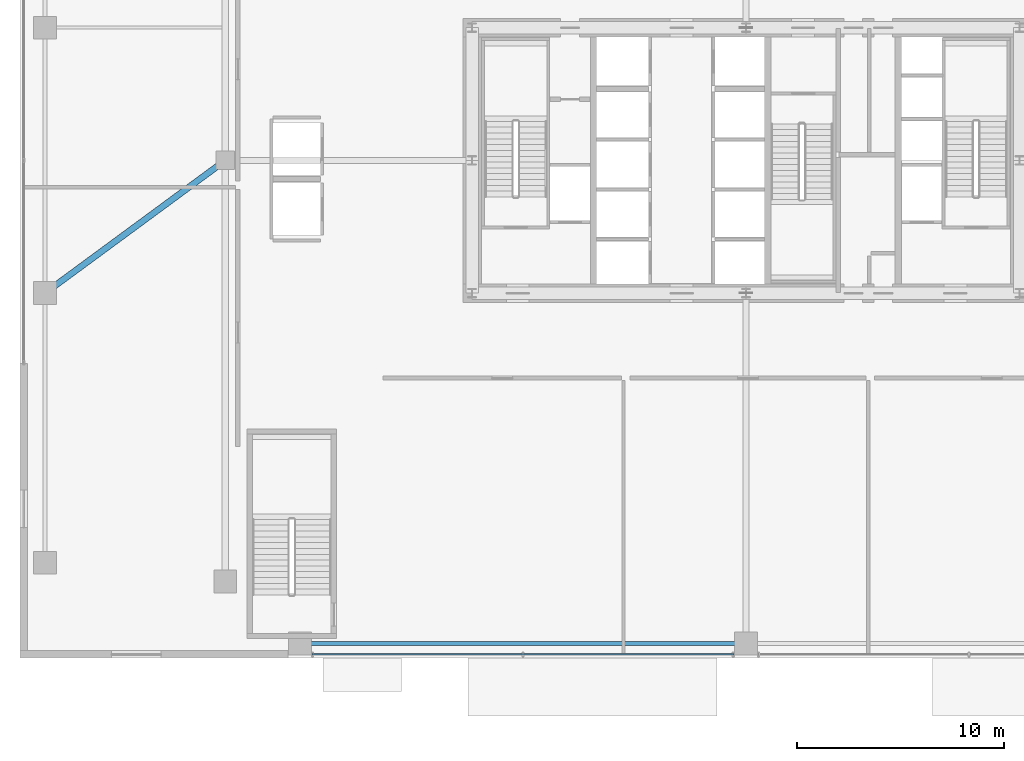
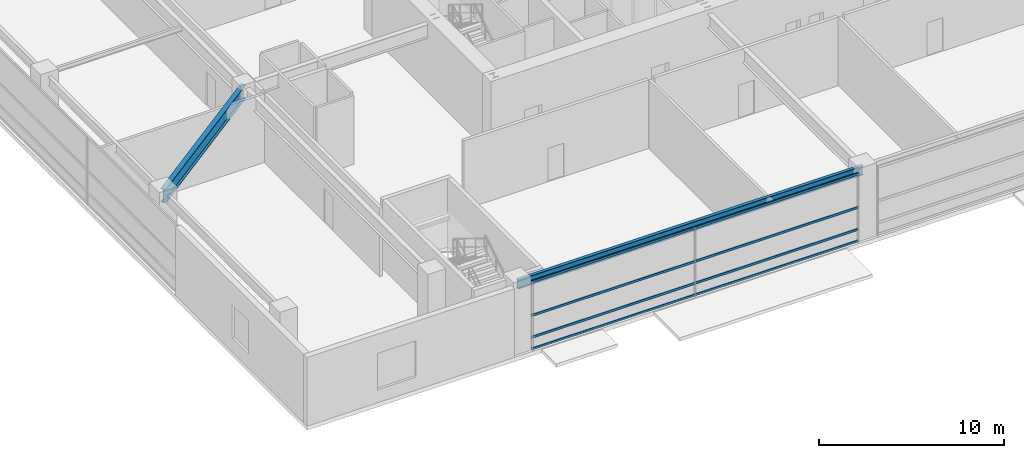
# One storey, part 8 of 37: 4 members, 2 beams, 1 element without a shape of its own.
"""IFC4 building model written with IfcOpenShell, lengths in metres."""

from ifc_helpers import new_model, si_unit, direction, frame, origin, origin_2d, place, context, subcontext, project, spatial, hollow_rectangle, i_section, extrude, source, transform, mapped, material, layer, layer_set, material_profile, profile_set, type_object, element, aggregate, save


model = new_model("IFC4")

# Units and contexts
model_context = context("Model", 3, precision=1e-05, world=origin(), true_north=direction((0.0, 1.0)))
body_context = subcontext(model_context, "Body", "Model", "MODEL_VIEW")
ifc_project = project(units=[si_unit("LENGTHUNIT", "METRE"), si_unit("AREAUNIT", "SQUARE_METRE"), si_unit("VOLUMEUNIT", "CUBIC_METRE"), si_unit("PLANEANGLEUNIT", "RADIAN"), si_unit("MASSUNIT", "GRAM", prefix="KILO"), si_unit("THERMODYNAMICTEMPERATUREUNIT", "KELVIN"), si_unit("POWERUNIT", "WATT")], contexts=[model_context])

# Site, building, storey
site_placement = place(None, origin())
site = spatial("IfcSite", under=ifc_project, at=site_placement, CompositionType="ELEMENT")
building_placement = place(site_placement, origin())
building = spatial("IfcBuilding", under=site, at=building_placement, Name="Yuzanri Waterfront Tower", CompositionType="ELEMENT")
storey_placement = place(building_placement, frame((0.0, 0.0, 5.39990234375)))
storey = spatial("IfcBuildingStorey", under=building, at=storey_placement, Name="L02", CompositionType="ELEMENT", Elevation=5.39990234375)

# Beams
ifc_material_1 = material(Name="Steel Q355B", Category="steel")
ifc_material_profile_1 = material_profile(ifc_material_1, i_section(OverallWidth=0.300048828125, OverallDepth=0.89990234375, WebThickness=0.01611328125, FlangeThickness=0.028076171875, at=origin_2d()), Name="HN 900x300x16x28")
ifc_profile_set_1 = profile_set([ifc_material_profile_1], Name="Steel Q355B")
beam_type_1 = type_object("IfcBeamType", Name="Primary Podium Girder Q355B HN 900x300", PredefinedType="BEAM", material=ifc_profile_set_1)
shared_shape_1 = source(origin(), body_context, "Body", "SweptSolid", [
    extrude(i_section(OverallWidth=0.300048828125, OverallDepth=0.89990234375, WebThickness=0.01611328125, FlangeThickness=0.028076171875, at=origin_2d()), origin(), (0.0, 0.0, 1.0), 10.800537109375),
])
beam_1_placement = place(storey_placement, frame((3.199951171875, 19.39990234375, 4.070068359375), z_axis=(0.805512964712, 0.592578149851, 0.0), x_axis=(-0.592578149851, 0.805512964712, 0.0)))
element("IfcBeam", 1, at=beam_1_placement, inside=storey, type_object=beam_type_1, Name="L02 Podium West Girder 1", PredefinedType="BEAM", context=body_context, shape_type="MappedRepresentation", body=[
    mapped(shared_shape_1, transform((0.0, 0.0, 0.0), scale=1.0)),
])
ifc_material_2 = material(Name="Steel Q355B", Category="steel")
ifc_material_profile_2 = material_profile(ifc_material_2, i_section(OverallWidth=0.199951171875, OverallDepth=0.60009765625, WebThickness=0.010986328125, FlangeThickness=0.01708984375, at=origin_2d()), Name="HN 600x200x11x17")
ifc_profile_set_2 = profile_set([ifc_material_profile_2], Name="Steel Q355B")
beam_type_2 = type_object("IfcBeamType", Name="Perimeter Spandrel Q355B HN 600x200", PredefinedType="SPANDREL", material=ifc_profile_set_2)
shared_shape_2 = source(origin(), body_context, "Body", "SweptSolid", [
    extrude(i_section(OverallWidth=0.199951171875, OverallDepth=0.60009765625, WebThickness=0.010986328125, FlangeThickness=0.01708984375, at=origin_2d()), origin(), (0.0, 0.0, 1.0), 21.5),
])
beam_2_placement = place(storey_placement, frame((15.5, 2.5, 4.22021484375), z_axis=(1.0, 0.0, 0.0), x_axis=(0.0, 1.0, 0.0)))
element("IfcBeam", 2, at=beam_2_placement, inside=storey, type_object=beam_type_2, Name="L02 South Spandrel 1", PredefinedType="SPANDREL", context=body_context, shape_type="MappedRepresentation", body=[
    mapped(shared_shape_2, transform((0.0, 0.0, 0.0), scale=1.0)),
])

# Curtain wall, members
ifc_material_3 = material(Name="Anodized Architectural Bronze", Category="metal")
ifc_layer = layer(ifc_material_3, 0.159912109375)
ifc_layer_set = layer_set([ifc_layer], Name="Anodized Architectural Bronze")
curtain_wall_type = type_object("IfcCurtainWallType", Name="Anodized Bronze Podium Waterfront Double-Height Unitized Curtain Wall 8400", PredefinedType="NOTDEFINED", material=ifc_layer_set)
curtain_wall_placement = place(storey_placement, origin())
curtain_wall = element("IfcCurtainWall", 3, at=curtain_wall_placement, inside=storey, type_object=curtain_wall_type, Name="L02 Curtain Wall CW-L02-S1", PredefinedType="NOTDEFINED")
ifc_material_4 = material(Name="Anodized Architectural Bronze", Category="metal")
ifc_material_profile_3 = material_profile(ifc_material_4, hollow_rectangle(XDim=0.074951171875, YDim=0.14990234375, WallThickness=0.00390625, at=origin_2d()), Name="CWT 75x150")
ifc_profile_set_3 = profile_set([ifc_material_profile_3], Name="Anodized Architectural Bronze")
member_type = type_object("IfcMemberType", Name="Anodized Bronze Primary Curtain-Wall Transom 75x150", PredefinedType="USERDEFINED", material=ifc_profile_set_3)
shared_shape_3 = source(origin(), body_context, "Body", "SweptSolid", [
    extrude(hollow_rectangle(XDim=0.074951171875, YDim=0.14990234375, WallThickness=0.00390625, at=origin_2d()), origin(), (0.0, 0.0, 1.0), 20.35986328125),
])
member_1_placement = place(storey_placement, frame((16.070068359375, 1.97998046875, 0.050048828125), z_axis=(1.0, 0.0, 0.0), x_axis=(0.0, 1.0, 0.0)))
member_1 = element("IfcMember", 4, at=member_1_placement, type_object=member_type, Name="CW-L02-S1 Transom 1", ObjectType="TRANSOM", PredefinedType="USERDEFINED", context=body_context, shape_type="MappedRepresentation", body=[
    mapped(shared_shape_3, transform((0.0, 0.0, 0.0), scale=1.0)),
])
member_2_placement = place(storey_placement, frame((16.070068359375, 1.97998046875, 0.820068359375), z_axis=(1.0, 0.0, 0.0), x_axis=(0.0, 1.0, 0.0)))
member_2 = element("IfcMember", 5, at=member_2_placement, type_object=member_type, Name="CW-L02-S1 Transom 2", ObjectType="TRANSOM", PredefinedType="USERDEFINED", context=body_context, shape_type="MappedRepresentation", body=[
    mapped(shared_shape_3, transform((0.0, 0.0, 0.0), scale=1.0)),
])
member_3_placement = place(storey_placement, frame((16.070068359375, 1.97998046875, 2.260009765625), z_axis=(1.0, 0.0, 0.0), x_axis=(0.0, 1.0, 0.0)))
member_3 = element("IfcMember", 6, at=member_3_placement, type_object=member_type, Name="CW-L02-S1 Transom 3", ObjectType="TRANSOM", PredefinedType="USERDEFINED", context=body_context, shape_type="MappedRepresentation", body=[
    mapped(shared_shape_3, transform((0.0, 0.0, 0.0), scale=1.0)),
])
member_4_placement = place(storey_placement, frame((16.070068359375, 1.97998046875, 4.47021484375), z_axis=(1.0, 0.0, 0.0), x_axis=(0.0, 1.0, 0.0)))
member_4 = element("IfcMember", 7, at=member_4_placement, type_object=member_type, Name="CW-L02-S1 Transom 4", ObjectType="TRANSOM", PredefinedType="USERDEFINED", context=body_context, shape_type="MappedRepresentation", body=[
    mapped(shared_shape_3, transform((0.0, 0.0, 0.0), scale=1.0)),
])
aggregate(curtain_wall, [member_1, member_2, member_3, member_4])

save(model, "model.ifc")
